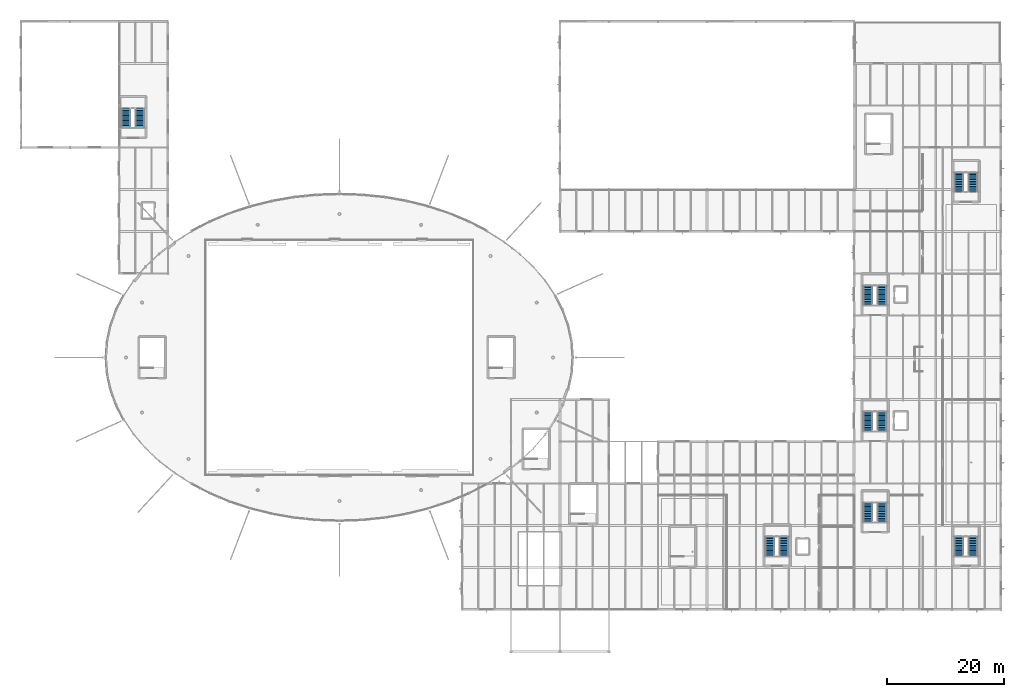
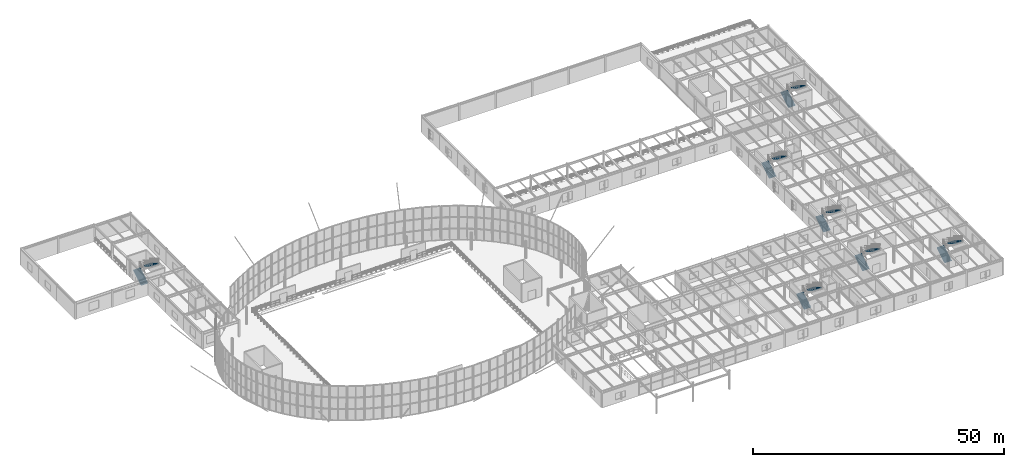
# One storey, part 71 of 109: 14 stair flights, 7 elements without a shape of their own.
"""IFC4 building model written with IfcOpenShell, lengths in metres."""

from ifc_helpers import new_model, si_unit, derived_unit, direction, frame, origin, place, context, subcontext, project, spatial, polyline, outline, extrude, material, type_object, element, aggregate, save


model = new_model("IFC4")

# Units and contexts
model_context = context("Model", 3, precision=1e-05, world=origin(), true_north=direction((0.0, 1.0)))
body_context = subcontext(model_context, "Body", "Model", "MODEL_VIEW")
ifc_project = project(units=[si_unit("LENGTHUNIT", "METRE"), si_unit("AREAUNIT", "SQUARE_METRE"), si_unit("VOLUMEUNIT", "CUBIC_METRE"), si_unit("PLANEANGLEUNIT", "RADIAN"), si_unit("MASSUNIT", "GRAM", prefix="KILO"), derived_unit("THERMALTRANSMITTANCEUNIT", [(si_unit("MASSUNIT", "GRAM", prefix="KILO"), 1), (si_unit("TIMEUNIT", "SECOND"), -3), (si_unit("THERMODYNAMICTEMPERATUREUNIT", "KELVIN"), -1)])], contexts=[model_context])

# Site, building, storey
site_placement = place(None, origin())
site = spatial("IfcSite", under=ifc_project, at=site_placement, CompositionType="ELEMENT")
building_placement = place(site_placement, origin())
building = spatial("IfcBuilding", under=site, at=building_placement, Name="Kharveza Railside Sports Centre", CompositionType="ELEMENT")
storey_placement = place(building_placement, frame((0.0, 0.0, 4.5)))
storey = spatial("IfcBuildingStorey", under=building, at=storey_placement, Name="L01", CompositionType="ELEMENT", Elevation=4.5)

# Stair, stair flights
ifc_material = material(Name="Concrete C35/45", Category="concrete")
stair_type = type_object("IfcStairType", Name="ST-B42", PredefinedType="TWO_STRAIGHT_RUN_STAIR", material=ifc_material)
stair_1_placement = place(storey_placement, origin())
stair_1 = element("IfcStair", 1, at=stair_1_placement, inside=storey, type_object=stair_type, Name="STR-ST1-L01", PredefinedType="TWO_STRAIGHT_RUN_STAIR")
stair_flight_type = type_object("IfcStairFlightType", Name="SF-B12", PredefinedType="STRAIGHT", material=ifc_material)
stair_flight_1_placement = place(storey_placement, frame((145.179931640625, 37.860107421875, 0.0), z_axis=(0.0, 0.0, 1.0), x_axis=(0.0, 1.0, 0.0)))
stair_flight_1 = element("IfcStairFlight", 2, at=stair_flight_1_placement, type_object=stair_flight_type, Name="STR-ST1-L01-FL1", NumberOfRisers=12, NumberOfTreads=11, PredefinedType="STRAIGHT", RiserHeight=0.175, TreadLength=0.29, context=body_context, shape_type="SweptSolid", body=[
    extrude(outline(polyline([(0.0, 0.0), (0.0, 0.175048828125), (0.2900390625, 0.175048828125), (0.2900390625, 0.35009765625), (0.580078125, 0.35009765625), (0.580078125, 0.52490234375), (0.8701171875, 0.52490234375), (0.8701171875, 0.699951171875), (1.159912109375, 0.699951171875), (1.159912109375, 0.875), (1.449951171875, 0.875), (1.449951171875, 1.050048828125), (1.739990234375, 1.050048828125), (1.739990234375, 1.22509765625), (2.030029296875, 1.22509765625), (2.030029296875, 1.39990234375), (2.320068359375, 1.39990234375), (2.320068359375, 1.574951171875), (2.610107421875, 1.574951171875), (2.610107421875, 1.75), (2.89990234375, 1.75), (2.89990234375, 1.925048828125), (3.18994140625, 1.925048828125), (3.18994140625, 2.10009765625), (3.18994140625, 1.73828125), (0.3095703125, 0.0), (0.0, 0.0)])), frame((0.0, 0.800048828125, 0.0), z_axis=(0.0, -1.0, 0.0), x_axis=(1.0, 0.0, 0.0)), (0.0, 0.0, 1.0), 1.60009765625),
])
stair_flight_2_placement = place(storey_placement, frame((147.6201171875, 41.050048828125, 2.10009765625), z_axis=(0.0, 0.0, 1.0), x_axis=(0.0, -1.0, 0.0)))
stair_flight_2 = element("IfcStairFlight", 3, at=stair_flight_2_placement, type_object=stair_flight_type, Name="STR-ST1-L01-FL2", NumberOfRisers=12, NumberOfTreads=11, PredefinedType="STRAIGHT", RiserHeight=0.175, TreadLength=0.29, context=body_context, shape_type="SweptSolid", body=[
    extrude(outline(polyline([(0.0, 0.0), (0.0, 0.175048828125), (0.2900390625, 0.175048828125), (0.2900390625, 0.35009765625), (0.580078125, 0.35009765625), (0.580078125, 0.52490234375), (0.8701171875, 0.52490234375), (0.8701171875, 0.699951171875), (1.159912109375, 0.699951171875), (1.159912109375, 0.875), (1.449951171875, 0.875), (1.449951171875, 1.050048828125), (1.739990234375, 1.050048828125), (1.739990234375, 1.22509765625), (2.030029296875, 1.22509765625), (2.030029296875, 1.39990234375), (2.320068359375, 1.39990234375), (2.320068359375, 1.574951171875), (2.610107421875, 1.574951171875), (2.610107421875, 1.75), (2.89990234375, 1.75), (2.89990234375, 1.925048828125), (3.18994140625, 1.925048828125), (3.18994140625, 2.10009765625), (3.18994140625, 1.73828125), (0.3095703125, 0.0), (0.0, 0.0)])), frame((0.0, 0.800048828125, 0.0), z_axis=(0.0, -1.0, 0.0), x_axis=(1.0, 0.0, 0.0)), (0.0, 0.0, 1.0), 1.60009765625),
])
aggregate(stair_1, [stair_flight_1, stair_flight_2])

stair_2_placement = place(storey_placement, origin())
stair_2 = element("IfcStair", 4, at=stair_2_placement, inside=storey, type_object=stair_type, Name="STR-ST2-L01", PredefinedType="TWO_STRAIGHT_RUN_STAIR")
stair_flight_3_placement = place(storey_placement, frame((145.179931640625, 59.4599609375, 0.0), z_axis=(0.0, 0.0, 1.0), x_axis=(0.0, 1.0, 0.0)))
stair_flight_3 = element("IfcStairFlight", 5, at=stair_flight_3_placement, type_object=stair_flight_type, Name="STR-ST2-L01-FL1", NumberOfRisers=12, NumberOfTreads=11, PredefinedType="STRAIGHT", RiserHeight=0.175, TreadLength=0.29, context=body_context, shape_type="SweptSolid", body=[
    extrude(outline(polyline([(0.0, 0.0), (0.0, 0.175048828125), (0.2900390625, 0.175048828125), (0.2900390625, 0.35009765625), (0.580078125, 0.35009765625), (0.580078125, 0.52490234375), (0.8701171875, 0.52490234375), (0.8701171875, 0.699951171875), (1.159912109375, 0.699951171875), (1.159912109375, 0.875), (1.449951171875, 0.875), (1.449951171875, 1.050048828125), (1.739990234375, 1.050048828125), (1.739990234375, 1.22509765625), (2.030029296875, 1.22509765625), (2.030029296875, 1.39990234375), (2.320068359375, 1.39990234375), (2.320068359375, 1.574951171875), (2.610107421875, 1.574951171875), (2.610107421875, 1.75), (2.89990234375, 1.75), (2.89990234375, 1.925048828125), (3.18994140625, 1.925048828125), (3.18994140625, 2.10009765625), (3.18994140625, 1.73828125), (0.3095703125, 0.0), (0.0, 0.0)])), frame((0.0, 0.800048828125, 0.0), z_axis=(0.0, -1.0, 0.0), x_axis=(1.0, 0.0, 0.0)), (0.0, 0.0, 1.0), 1.60009765625),
])
stair_flight_4_placement = place(storey_placement, frame((147.6201171875, 62.64990234375, 2.10009765625), z_axis=(0.0, 0.0, 1.0), x_axis=(0.0, -1.0, 0.0)))
stair_flight_4 = element("IfcStairFlight", 6, at=stair_flight_4_placement, type_object=stair_flight_type, Name="STR-ST2-L01-FL2", NumberOfRisers=12, NumberOfTreads=11, PredefinedType="STRAIGHT", RiserHeight=0.175, TreadLength=0.29, context=body_context, shape_type="SweptSolid", body=[
    extrude(outline(polyline([(0.0, 0.0), (0.0, 0.175048828125), (0.2900390625, 0.175048828125), (0.2900390625, 0.35009765625), (0.580078125, 0.35009765625), (0.580078125, 0.52490234375), (0.8701171875, 0.52490234375), (0.8701171875, 0.699951171875), (1.159912109375, 0.699951171875), (1.159912109375, 0.875), (1.449951171875, 0.875), (1.449951171875, 1.050048828125), (1.739990234375, 1.050048828125), (1.739990234375, 1.22509765625), (2.030029296875, 1.22509765625), (2.030029296875, 1.39990234375), (2.320068359375, 1.39990234375), (2.320068359375, 1.574951171875), (2.610107421875, 1.574951171875), (2.610107421875, 1.75), (2.89990234375, 1.75), (2.89990234375, 1.925048828125), (3.18994140625, 1.925048828125), (3.18994140625, 2.10009765625), (3.18994140625, 1.73828125), (0.3095703125, 0.0), (0.0, 0.0)])), frame((0.0, 0.800048828125, 0.0), z_axis=(0.0, -1.0, 0.0), x_axis=(1.0, 0.0, 0.0)), (0.0, 0.0, 1.0), 1.60009765625),
])
aggregate(stair_2, [stair_flight_3, stair_flight_4])

stair_3_placement = place(storey_placement, origin())
stair_3 = element("IfcStair", 7, at=stair_3_placement, inside=storey, type_object=stair_type, Name="STR-ST3-L01", PredefinedType="TWO_STRAIGHT_RUN_STAIR")
stair_flight_5_placement = place(storey_placement, frame((128.3798828125, 16.4599609375, 0.0), z_axis=(0.0, 0.0, 1.0), x_axis=(0.0, 1.0, 0.0)))
stair_flight_5 = element("IfcStairFlight", 8, at=stair_flight_5_placement, type_object=stair_flight_type, Name="STR-ST3-L01-FL1", NumberOfRisers=12, NumberOfTreads=11, PredefinedType="STRAIGHT", RiserHeight=0.175, TreadLength=0.29, context=body_context, shape_type="SweptSolid", body=[
    extrude(outline(polyline([(0.0, 0.0), (0.0, 0.175048828125), (0.2900390625, 0.175048828125), (0.2900390625, 0.35009765625), (0.580078125, 0.35009765625), (0.580078125, 0.52490234375), (0.8701171875, 0.52490234375), (0.8701171875, 0.699951171875), (1.159912109375, 0.699951171875), (1.159912109375, 0.875), (1.449951171875, 0.875), (1.449951171875, 1.050048828125), (1.739990234375, 1.050048828125), (1.739990234375, 1.22509765625), (2.030029296875, 1.22509765625), (2.030029296875, 1.39990234375), (2.320068359375, 1.39990234375), (2.320068359375, 1.574951171875), (2.610107421875, 1.574951171875), (2.610107421875, 1.75), (2.89990234375, 1.75), (2.89990234375, 1.925048828125), (3.18994140625, 1.925048828125), (3.18994140625, 2.10009765625), (3.18994140625, 1.73828125), (0.3095703125, 0.0), (0.0, 0.0)])), frame((0.0, 0.800048828125, 0.0), z_axis=(0.0, -1.0, 0.0), x_axis=(1.0, 0.0, 0.0)), (0.0, 0.0, 1.0), 1.60009765625),
])
stair_flight_6_placement = place(storey_placement, frame((130.820068359375, 19.64990234375, 2.10009765625), z_axis=(0.0, 0.0, 1.0), x_axis=(0.0, -1.0, 0.0)))
stair_flight_6 = element("IfcStairFlight", 9, at=stair_flight_6_placement, type_object=stair_flight_type, Name="STR-ST3-L01-FL2", NumberOfRisers=12, NumberOfTreads=11, PredefinedType="STRAIGHT", RiserHeight=0.175, TreadLength=0.29, context=body_context, shape_type="SweptSolid", body=[
    extrude(outline(polyline([(0.0, 0.0), (0.0, 0.175048828125), (0.2900390625, 0.175048828125), (0.2900390625, 0.35009765625), (0.580078125, 0.35009765625), (0.580078125, 0.52490234375), (0.8701171875, 0.52490234375), (0.8701171875, 0.699951171875), (1.159912109375, 0.699951171875), (1.159912109375, 0.875), (1.449951171875, 0.875), (1.449951171875, 1.050048828125), (1.739990234375, 1.050048828125), (1.739990234375, 1.22509765625), (2.030029296875, 1.22509765625), (2.030029296875, 1.39990234375), (2.320068359375, 1.39990234375), (2.320068359375, 1.574951171875), (2.610107421875, 1.574951171875), (2.610107421875, 1.75), (2.89990234375, 1.75), (2.89990234375, 1.925048828125), (3.18994140625, 1.925048828125), (3.18994140625, 2.10009765625), (3.18994140625, 1.73828125), (0.3095703125, 0.0), (0.0, 0.0)])), frame((0.0, 0.800048828125, 0.0), z_axis=(0.0, -1.0, 0.0), x_axis=(1.0, 0.0, 0.0)), (0.0, 0.0, 1.0), 1.60009765625),
])
aggregate(stair_3, [stair_flight_5, stair_flight_6])

stair_4_placement = place(storey_placement, origin())
stair_4 = element("IfcStair", 10, at=stair_4_placement, inside=storey, type_object=stair_type, Name="STR-ST4-L01", PredefinedType="TWO_STRAIGHT_RUN_STAIR")
stair_flight_7_placement = place(storey_placement, frame((160.780029296875, 78.860107421875, 0.0), z_axis=(0.0, 0.0, 1.0), x_axis=(0.0, 1.0, 0.0)))
stair_flight_7 = element("IfcStairFlight", 11, at=stair_flight_7_placement, type_object=stair_flight_type, Name="STR-ST4-L01-FL1", NumberOfRisers=12, NumberOfTreads=11, PredefinedType="STRAIGHT", RiserHeight=0.175, TreadLength=0.29, context=body_context, shape_type="SweptSolid", body=[
    extrude(outline(polyline([(0.0, 0.0), (0.0, 0.175048828125), (0.2900390625, 0.175048828125), (0.2900390625, 0.35009765625), (0.580078125, 0.35009765625), (0.580078125, 0.52490234375), (0.8701171875, 0.52490234375), (0.8701171875, 0.699951171875), (1.159912109375, 0.699951171875), (1.159912109375, 0.875), (1.449951171875, 0.875), (1.449951171875, 1.050048828125), (1.739990234375, 1.050048828125), (1.739990234375, 1.22509765625), (2.030029296875, 1.22509765625), (2.030029296875, 1.39990234375), (2.320068359375, 1.39990234375), (2.320068359375, 1.574951171875), (2.610107421875, 1.574951171875), (2.610107421875, 1.75), (2.89990234375, 1.75), (2.89990234375, 1.925048828125), (3.18994140625, 1.925048828125), (3.18994140625, 2.10009765625), (3.18994140625, 1.73828125), (0.3095703125, 0.0), (0.0, 0.0)])), frame((0.0, 0.800048828125, 0.0), z_axis=(0.0, -1.0, 0.0), x_axis=(1.0, 0.0, 0.0)), (0.0, 0.0, 1.0), 1.60009765625),
])
stair_flight_8_placement = place(storey_placement, frame((163.219970703125, 82.050048828125, 2.10009765625), z_axis=(0.0, 0.0, 1.0), x_axis=(0.0, -1.0, 0.0)))
stair_flight_8 = element("IfcStairFlight", 12, at=stair_flight_8_placement, type_object=stair_flight_type, Name="STR-ST4-L01-FL2", NumberOfRisers=12, NumberOfTreads=11, PredefinedType="STRAIGHT", RiserHeight=0.175, TreadLength=0.29, context=body_context, shape_type="SweptSolid", body=[
    extrude(outline(polyline([(0.0, 0.0), (0.0, 0.175048828125), (0.2900390625, 0.175048828125), (0.2900390625, 0.35009765625), (0.580078125, 0.35009765625), (0.580078125, 0.52490234375), (0.8701171875, 0.52490234375), (0.8701171875, 0.699951171875), (1.159912109375, 0.699951171875), (1.159912109375, 0.875), (1.449951171875, 0.875), (1.449951171875, 1.050048828125), (1.739990234375, 1.050048828125), (1.739990234375, 1.22509765625), (2.030029296875, 1.22509765625), (2.030029296875, 1.39990234375), (2.320068359375, 1.39990234375), (2.320068359375, 1.574951171875), (2.610107421875, 1.574951171875), (2.610107421875, 1.75), (2.89990234375, 1.75), (2.89990234375, 1.925048828125), (3.18994140625, 1.925048828125), (3.18994140625, 2.10009765625), (3.18994140625, 1.73828125), (0.3095703125, 0.0), (0.0, 0.0)])), frame((0.0, 0.800048828125, 0.0), z_axis=(0.0, -1.0, 0.0), x_axis=(1.0, 0.0, 0.0)), (0.0, 0.0, 1.0), 1.60009765625),
])
aggregate(stair_4, [stair_flight_7, stair_flight_8])

stair_5_placement = place(storey_placement, origin())
stair_5 = element("IfcStair", 13, at=stair_5_placement, inside=storey, type_object=stair_type, Name="STR-ST5-L01", PredefinedType="TWO_STRAIGHT_RUN_STAIR")
stair_flight_9_placement = place(storey_placement, frame((145.179931640625, 22.260009765625, 0.0), z_axis=(0.0, 0.0, 1.0), x_axis=(0.0, 1.0, 0.0)))
stair_flight_9 = element("IfcStairFlight", 14, at=stair_flight_9_placement, type_object=stair_flight_type, Name="STR-ST5-L01-FL1", NumberOfRisers=12, NumberOfTreads=11, PredefinedType="STRAIGHT", RiserHeight=0.175, TreadLength=0.29, context=body_context, shape_type="SweptSolid", body=[
    extrude(outline(polyline([(0.0, 0.0), (0.0, 0.175048828125), (0.2900390625, 0.175048828125), (0.2900390625, 0.35009765625), (0.580078125, 0.35009765625), (0.580078125, 0.52490234375), (0.8701171875, 0.52490234375), (0.8701171875, 0.699951171875), (1.159912109375, 0.699951171875), (1.159912109375, 0.875), (1.449951171875, 0.875), (1.449951171875, 1.050048828125), (1.739990234375, 1.050048828125), (1.739990234375, 1.22509765625), (2.030029296875, 1.22509765625), (2.030029296875, 1.39990234375), (2.320068359375, 1.39990234375), (2.320068359375, 1.574951171875), (2.610107421875, 1.574951171875), (2.610107421875, 1.75), (2.89990234375, 1.75), (2.89990234375, 1.925048828125), (3.18994140625, 1.925048828125), (3.18994140625, 2.10009765625), (3.18994140625, 1.73828125), (0.3095703125, 0.0), (0.0, 0.0)])), frame((0.0, 0.800048828125, 0.0), z_axis=(0.0, -1.0, 0.0), x_axis=(1.0, 0.0, 0.0)), (0.0, 0.0, 1.0), 1.60009765625),
])
stair_flight_10_placement = place(storey_placement, frame((147.6201171875, 25.449951171875, 2.10009765625), z_axis=(0.0, 0.0, 1.0), x_axis=(0.0, -1.0, 0.0)))
stair_flight_10 = element("IfcStairFlight", 15, at=stair_flight_10_placement, type_object=stair_flight_type, Name="STR-ST5-L01-FL2", NumberOfRisers=12, NumberOfTreads=11, PredefinedType="STRAIGHT", RiserHeight=0.175, TreadLength=0.29, context=body_context, shape_type="SweptSolid", body=[
    extrude(outline(polyline([(0.0, 0.0), (0.0, 0.175048828125), (0.2900390625, 0.175048828125), (0.2900390625, 0.35009765625), (0.580078125, 0.35009765625), (0.580078125, 0.52490234375), (0.8701171875, 0.52490234375), (0.8701171875, 0.699951171875), (1.159912109375, 0.699951171875), (1.159912109375, 0.875), (1.449951171875, 0.875), (1.449951171875, 1.050048828125), (1.739990234375, 1.050048828125), (1.739990234375, 1.22509765625), (2.030029296875, 1.22509765625), (2.030029296875, 1.39990234375), (2.320068359375, 1.39990234375), (2.320068359375, 1.574951171875), (2.610107421875, 1.574951171875), (2.610107421875, 1.75), (2.89990234375, 1.75), (2.89990234375, 1.925048828125), (3.18994140625, 1.925048828125), (3.18994140625, 2.10009765625), (3.18994140625, 1.73828125), (0.3095703125, 0.0), (0.0, 0.0)])), frame((0.0, 0.800048828125, 0.0), z_axis=(0.0, -1.0, 0.0), x_axis=(1.0, 0.0, 0.0)), (0.0, 0.0, 1.0), 1.60009765625),
])
aggregate(stair_5, [stair_flight_9, stair_flight_10])

stair_6_placement = place(storey_placement, origin())
stair_6 = element("IfcStair", 16, at=stair_6_placement, inside=storey, type_object=stair_type, Name="STR-ST6-L01", PredefinedType="TWO_STRAIGHT_RUN_STAIR")
stair_flight_11_placement = place(storey_placement, frame((17.97998046875, 89.860107421875, 0.0), z_axis=(0.0, 0.0, 1.0), x_axis=(0.0, 1.0, 0.0)))
stair_flight_11 = element("IfcStairFlight", 17, at=stair_flight_11_placement, type_object=stair_flight_type, Name="STR-ST6-L01-FL1", NumberOfRisers=12, NumberOfTreads=11, PredefinedType="STRAIGHT", RiserHeight=0.175, TreadLength=0.29, context=body_context, shape_type="SweptSolid", body=[
    extrude(outline(polyline([(0.0, 0.0), (0.0, 0.175048828125), (0.2900390625, 0.175048828125), (0.2900390625, 0.35009765625), (0.580078125, 0.35009765625), (0.580078125, 0.52490234375), (0.8701171875, 0.52490234375), (0.8701171875, 0.699951171875), (1.159912109375, 0.699951171875), (1.159912109375, 0.875), (1.449951171875, 0.875), (1.449951171875, 1.050048828125), (1.739990234375, 1.050048828125), (1.739990234375, 1.22509765625), (2.030029296875, 1.22509765625), (2.030029296875, 1.39990234375), (2.320068359375, 1.39990234375), (2.320068359375, 1.574951171875), (2.610107421875, 1.574951171875), (2.610107421875, 1.75), (2.89990234375, 1.75), (2.89990234375, 1.925048828125), (3.18994140625, 1.925048828125), (3.18994140625, 2.10009765625), (3.18994140625, 1.73828125), (0.3095703125, 0.0), (0.0, 0.0)])), frame((0.0, 0.800048828125, 0.0), z_axis=(0.0, -1.0, 0.0), x_axis=(1.0, 0.0, 0.0)), (0.0, 0.0, 1.0), 1.60009765625),
])
stair_flight_12_placement = place(storey_placement, frame((20.419921875, 93.050048828125, 2.10009765625), z_axis=(0.0, 0.0, 1.0), x_axis=(0.0, -1.0, 0.0)))
stair_flight_12 = element("IfcStairFlight", 18, at=stair_flight_12_placement, type_object=stair_flight_type, Name="STR-ST6-L01-FL2", NumberOfRisers=12, NumberOfTreads=11, PredefinedType="STRAIGHT", RiserHeight=0.175, TreadLength=0.29, context=body_context, shape_type="SweptSolid", body=[
    extrude(outline(polyline([(0.0, 0.0), (0.0, 0.175048828125), (0.2900390625, 0.175048828125), (0.2900390625, 0.35009765625), (0.580078125, 0.35009765625), (0.580078125, 0.52490234375), (0.8701171875, 0.52490234375), (0.8701171875, 0.699951171875), (1.159912109375, 0.699951171875), (1.159912109375, 0.875), (1.449951171875, 0.875), (1.449951171875, 1.050048828125), (1.739990234375, 1.050048828125), (1.739990234375, 1.22509765625), (2.030029296875, 1.22509765625), (2.030029296875, 1.39990234375), (2.320068359375, 1.39990234375), (2.320068359375, 1.574951171875), (2.610107421875, 1.574951171875), (2.610107421875, 1.75), (2.89990234375, 1.75), (2.89990234375, 1.925048828125), (3.18994140625, 1.925048828125), (3.18994140625, 2.10009765625), (3.18994140625, 1.73828125), (0.3095703125, 0.0), (0.0, 0.0)])), frame((0.0, 0.800048828125, 0.0), z_axis=(0.0, -1.0, 0.0), x_axis=(1.0, 0.0, 0.0)), (0.0, 0.0, 1.0), 1.60009765625),
])
aggregate(stair_6, [stair_flight_11, stair_flight_12])

stair_7_placement = place(storey_placement, origin())
stair_7 = element("IfcStair", 19, at=stair_7_placement, inside=storey, type_object=stair_type, Name="STR-ST11-L01", PredefinedType="TWO_STRAIGHT_RUN_STAIR")
stair_flight_13_placement = place(storey_placement, frame((160.780029296875, 16.4599609375, 0.0), z_axis=(0.0, 0.0, 1.0), x_axis=(0.0, 1.0, 0.0)))
stair_flight_13 = element("IfcStairFlight", 20, at=stair_flight_13_placement, type_object=stair_flight_type, Name="STR-ST11-L01-FL1", NumberOfRisers=12, NumberOfTreads=11, PredefinedType="STRAIGHT", RiserHeight=0.175, TreadLength=0.29, context=body_context, shape_type="SweptSolid", body=[
    extrude(outline(polyline([(0.0, 0.0), (0.0, 0.175048828125), (0.2900390625, 0.175048828125), (0.2900390625, 0.35009765625), (0.580078125, 0.35009765625), (0.580078125, 0.52490234375), (0.8701171875, 0.52490234375), (0.8701171875, 0.699951171875), (1.159912109375, 0.699951171875), (1.159912109375, 0.875), (1.449951171875, 0.875), (1.449951171875, 1.050048828125), (1.739990234375, 1.050048828125), (1.739990234375, 1.22509765625), (2.030029296875, 1.22509765625), (2.030029296875, 1.39990234375), (2.320068359375, 1.39990234375), (2.320068359375, 1.574951171875), (2.610107421875, 1.574951171875), (2.610107421875, 1.75), (2.89990234375, 1.75), (2.89990234375, 1.925048828125), (3.18994140625, 1.925048828125), (3.18994140625, 2.10009765625), (3.18994140625, 1.73828125), (0.3095703125, 0.0), (0.0, 0.0)])), frame((0.0, 0.800048828125, 0.0), z_axis=(0.0, -1.0, 0.0), x_axis=(1.0, 0.0, 0.0)), (0.0, 0.0, 1.0), 1.60009765625),
])
stair_flight_14_placement = place(storey_placement, frame((163.219970703125, 19.64990234375, 2.10009765625), z_axis=(0.0, 0.0, 1.0), x_axis=(0.0, -1.0, 0.0)))
stair_flight_14 = element("IfcStairFlight", 21, at=stair_flight_14_placement, type_object=stair_flight_type, Name="STR-ST11-L01-FL2", NumberOfRisers=12, NumberOfTreads=11, PredefinedType="STRAIGHT", RiserHeight=0.175, TreadLength=0.29, context=body_context, shape_type="SweptSolid", body=[
    extrude(outline(polyline([(0.0, 0.0), (0.0, 0.175048828125), (0.2900390625, 0.175048828125), (0.2900390625, 0.35009765625), (0.580078125, 0.35009765625), (0.580078125, 0.52490234375), (0.8701171875, 0.52490234375), (0.8701171875, 0.699951171875), (1.159912109375, 0.699951171875), (1.159912109375, 0.875), (1.449951171875, 0.875), (1.449951171875, 1.050048828125), (1.739990234375, 1.050048828125), (1.739990234375, 1.22509765625), (2.030029296875, 1.22509765625), (2.030029296875, 1.39990234375), (2.320068359375, 1.39990234375), (2.320068359375, 1.574951171875), (2.610107421875, 1.574951171875), (2.610107421875, 1.75), (2.89990234375, 1.75), (2.89990234375, 1.925048828125), (3.18994140625, 1.925048828125), (3.18994140625, 2.10009765625), (3.18994140625, 1.73828125), (0.3095703125, 0.0), (0.0, 0.0)])), frame((0.0, 0.800048828125, 0.0), z_axis=(0.0, -1.0, 0.0), x_axis=(1.0, 0.0, 0.0)), (0.0, 0.0, 1.0), 1.60009765625),
])
aggregate(stair_7, [stair_flight_13, stair_flight_14])

save(model, "model.ifc")
